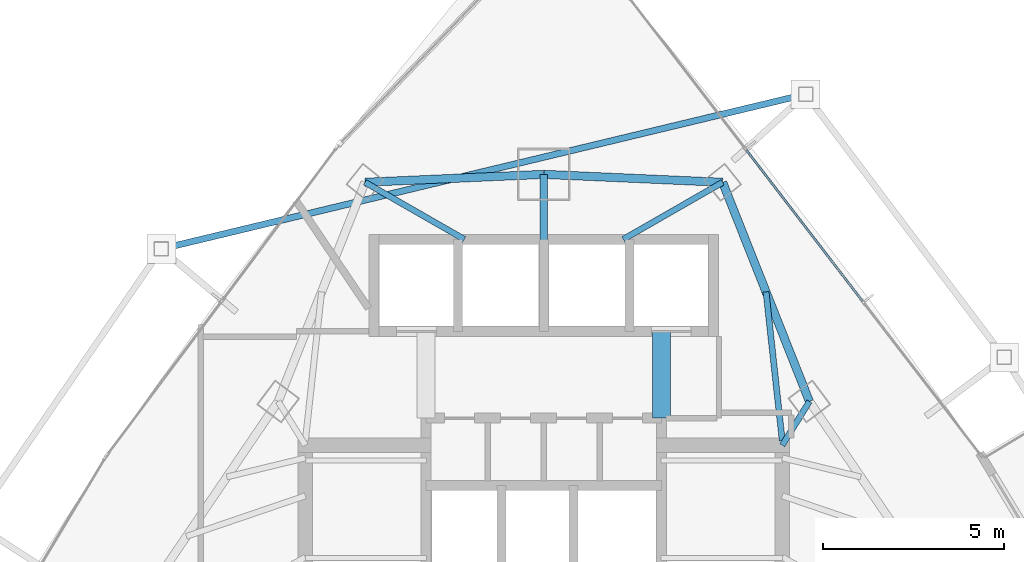
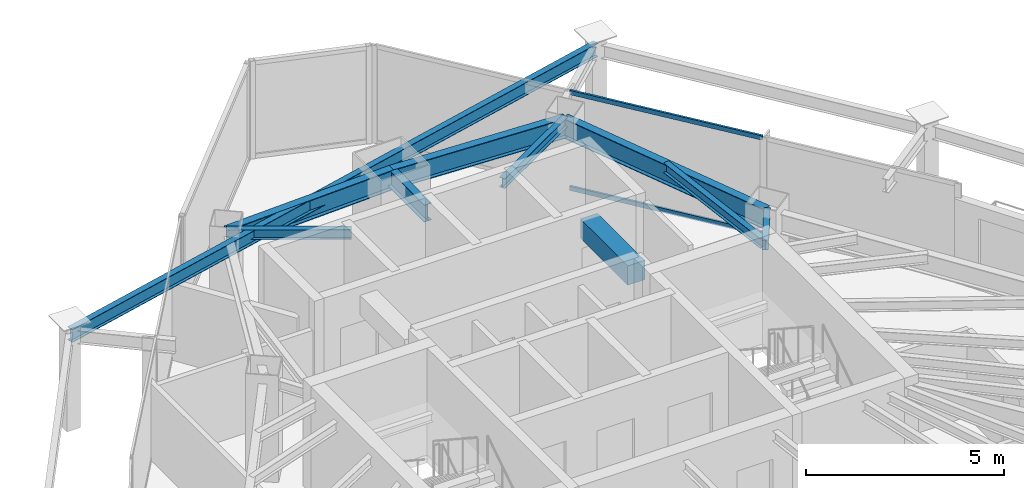
# One storey, part 22 of 31: 10 beams, 2 members, 1 element without a shape of its own.
"""IFC4 building model written with IfcOpenShell, lengths in metres."""

from ifc_helpers import new_model, si_unit, direction, frame, origin, origin_2d, place, context, subcontext, project, spatial, rectangle, hollow_rectangle, i_section, extrude, material, layer, layer_set, material_profile, profile_set, type_object, element, aggregate, save


model = new_model("IFC4")

# Units and contexts
model_context = context("Model", 3, precision=1e-05, world=origin(), true_north=direction((0.0, 1.0)))
body_context = subcontext(model_context, "Body", "Model", "MODEL_VIEW")
ifc_project = project(units=[si_unit("LENGTHUNIT", "METRE"), si_unit("AREAUNIT", "SQUARE_METRE"), si_unit("VOLUMEUNIT", "CUBIC_METRE"), si_unit("PLANEANGLEUNIT", "RADIAN"), si_unit("MASSUNIT", "GRAM", prefix="KILO")], contexts=[model_context])

# Site, building, storey
site_placement = place(None, origin())
site = spatial("IfcSite", under=ifc_project, at=site_placement, CompositionType="ELEMENT")
building_placement = place(site_placement, origin())
building = spatial("IfcBuilding", under=site, at=building_placement, Name="Orvanel Arch Residences", CompositionType="ELEMENT")
storey_placement = place(building_placement, frame((0.0, 0.0, 183.64990234375)))
storey = spatial("IfcBuildingStorey", under=building, at=storey_placement, Name="L52", CompositionType="ELEMENT", Elevation=183.64990234375)

# Beams
ifc_material_1 = material(Name="Structural steel AS/NZS 3679.1 Grade 300 (300 MPa)", Category="steel")
ifc_material_profile_1 = material_profile(ifc_material_1, i_section(OverallWidth=0.208984375, OverallDepth=0.532958984375, WebThickness=0.01025390625, FlangeThickness=0.015625, at=origin_2d()), Name="530UB92.4")
ifc_profile_set_1 = profile_set([ifc_material_profile_1], Name="Structural steel AS/NZS 3679.1 Grade 300 (300 MPa)")
beam_type_1 = type_object("IfcBeamType", Name="BG-530UB", PredefinedType="BEAM", material=ifc_profile_set_1)
beam_1_placement = place(storey_placement, frame((33.0, 39.550048828125, 2.753173828125), z_axis=(0.0, 1.0, 0.0), x_axis=(-1.0, 0.0, 0.0)))
element("IfcBeam", 1, at=beam_1_placement, inside=storey, type_object=beam_type_1, Name="L52 North Radial Girder", PredefinedType="BEAM", context=body_context, shape_type="SweptSolid", body=[
    extrude(i_section(OverallWidth=0.208984375, OverallDepth=0.532958984375, WebThickness=0.01025390625, FlangeThickness=0.015625, at=origin_2d()), origin(), (0.0, 0.0, 1.0), 1.847900390625),
])
ifc_material_profile_2 = material_profile(ifc_material_1, i_section(OverallWidth=0.1650390625, OverallDepth=0.303955078125, WebThickness=0.006103515625, FlangeThickness=0.01025390625, at=origin_2d()), Name="310UB40.4")
ifc_profile_set_2 = profile_set([ifc_material_profile_2], Name="Structural steel AS/NZS 3679.1 Grade 300 (300 MPa)")
beam_type_2 = type_object("IfcBeamType", Name="BJ-310UB", PredefinedType="JOIST", material=ifc_profile_set_2)
beam_2_placement = place(storey_placement, frame((39.60009765625, 33.89990234375, 2.8681640625), z_axis=(0.526843290616, 0.84996243866, 0.0), x_axis=(-0.84996243866, 0.526843290616, 0.0)))
element("IfcBeam", 2, at=beam_2_placement, inside=storey, type_object=beam_type_2, Name="L52 NNE Wing Floor Joist", PredefinedType="JOIST", context=body_context, shape_type="SweptSolid", body=[
    extrude(i_section(OverallWidth=0.1650390625, OverallDepth=0.303955078125, WebThickness=0.006103515625, FlangeThickness=0.01025390625, at=origin_2d()), origin(), (0.0, 0.0, 1.0), 1.42724609375),
])
beam_3_placement = place(storey_placement, frame((39.60009765625, 34.02001953125, 2.8681640625), z_axis=(-0.108261441852, 0.99412245735, 0.0), x_axis=(-0.99412245735, -0.108261441852, 0.0)))
element("IfcBeam", 3, at=beam_3_placement, inside=storey, type_object=beam_type_2, Name="L52 NNE2 Wing Floor Joist", PredefinedType="JOIST", context=body_context, shape_type="SweptSolid", body=[
    extrude(i_section(OverallWidth=0.1650390625, OverallDepth=0.303955078125, WebThickness=0.006103515625, FlangeThickness=0.01025390625, at=origin_2d()), origin(), (0.0, 0.0, 1.0), 4.1494140625),
])
for number, where, z_axis, x_axis, name in (
    (4, (30.800048828125, 39.60009765625, 2.8681640625), (-0.86736513383, 0.497672306458, 0.0), (-0.497672306458, -0.86736513383, 0.0), "L52 MNW Wing Floor Joist"),
    (5, (35.199951171875, 39.60009765625, 2.8681640625), (0.86736513383, 0.497672306458, 0.0), (-0.497672306458, 0.86736513383, 0.0), "L52 MNE Wing Floor Joist"),
):
    element("IfcBeam", number, at=place(storey_placement, frame(where, z_axis=z_axis, x_axis=x_axis)), inside=storey, type_object=beam_type_2, Name=name, PredefinedType="JOIST", context=body_context, shape_type="SweptSolid", body=[
        extrude(i_section(OverallWidth=0.1650390625, OverallDepth=0.303955078125, WebThickness=0.006103515625, FlangeThickness=0.01025390625, at=origin_2d()), origin(), (0.0, 0.0, 1.0), 3.17041015625),
    ])
ifc_material_2 = material(Name="Concrete S65 (65 MPa)", Category="concrete")
ifc_material_profile_3 = material_profile(ifc_material_2, rectangle(XDim=0.5, YDim=0.60009765625, at=origin_2d()), Name="RC500x600")
ifc_profile_set_3 = profile_set([ifc_material_profile_3], Name="Concrete S65 (65 MPa)")
beam_type_3 = type_object("IfcBeamType", Name="CB-500x600", PredefinedType="LINTEL", material=ifc_profile_set_3)
beam_4_placement = place(storey_placement, frame((36.260009765625, 34.64990234375, 2.72021484375), z_axis=(0.0, 1.0, 0.0), x_axis=(-1.0, 0.0, 0.0)))
element("IfcBeam", 6, at=beam_4_placement, inside=storey, type_object=beam_type_3, Name="L52 East Core Lobby Coupling Lintel Beam", PredefinedType="LINTEL", context=body_context, shape_type="SweptSolid", body=[
    extrude(rectangle(XDim=0.5, YDim=0.60009765625, at=origin_2d()), origin(), (0.0, 0.0, 1.0), 2.400146484375),
])
ifc_material_profile_4 = material_profile(ifc_material_1, i_section(OverallWidth=0.177978515625, OverallDepth=0.406005859375, WebThickness=0.0078125, FlangeThickness=0.0126953125, at=origin_2d()), Name="410UB59.7")
ifc_profile_set_4 = profile_set([ifc_material_profile_4], Name="Structural steel AS/NZS 3679.1 Grade 300 (300 MPa)")
beam_type_4 = type_object("IfcBeamType", Name="OB-410UB-EXT", PredefinedType="SPANDREL", material=ifc_profile_set_4)
beam_5_placement = place(storey_placement, frame((40.2490234375, 43.614990234375, 2.817138671875), z_axis=(-0.972370505992, -0.233442924669, 0.0), x_axis=(0.233442924669, -0.972370505992, 0.0)))
element("IfcBeam", 7, at=beam_5_placement, inside=storey, type_object=beam_type_4, Name="L52 Outer Perimeter Floor Ring Beam 12", PredefinedType="SPANDREL", context=body_context, shape_type="SweptSolid", body=[
    extrude(i_section(OverallWidth=0.177978515625, OverallDepth=0.406005859375, WebThickness=0.0078125, FlangeThickness=0.0126953125, at=origin_2d()), origin(), (0.0, 0.0, 1.0), 18.3427734375),
])
ifc_material_profile_5 = material_profile(ifc_material_1, i_section(OverallWidth=0.22900390625, OverallDepth=0.612060546875, WebThickness=0.011962890625, FlangeThickness=0.01953125, at=origin_2d()), Name="610UB125")
ifc_profile_set_5 = profile_set([ifc_material_profile_5], Name="Structural steel AS/NZS 3679.1 Grade 300 (300 MPa)")
beam_type_5 = type_object("IfcBeamType", Name="SP-610UB", PredefinedType="SPANDREL", material=ifc_profile_set_5)
beam_6_placement = place(storey_placement, frame((40.35205078125, 35.113037109375, 2.714111328125), z_axis=(-0.368233143579, 0.929733484376, 0.0), x_axis=(-0.929733484376, -0.368233143579, 0.0)))
element("IfcBeam", 8, at=beam_6_placement, inside=storey, type_object=beam_type_5, Name="L52 Perimeter Spandrel Beam 13", PredefinedType="SPANDREL", context=body_context, shape_type="SweptSolid", body=[
    extrude(i_section(OverallWidth=0.22900390625, OverallDepth=0.612060546875, WebThickness=0.011962890625, FlangeThickness=0.01953125, at=origin_2d()), origin(), (0.0, 0.0, 1.0), 6.523193359375),
])
for number, where, z_axis, x_axis, name in (
    (9, (37.949951171875, 41.177978515625, 2.714111328125), (-0.999014049296, 0.044395149614, 0.0), (-0.044395149614, -0.999014049296, 0.0), "L52 Perimeter Spandrel Beam 14"),
    (10, (33.0, 41.39794921875, 2.714111328125), (-0.999014049296, -0.044395149614, 0.0), (0.044395149614, -0.999014049296, 0.0), "L52 Perimeter Spandrel Beam 15"),
):
    element("IfcBeam", number, at=place(storey_placement, frame(where, z_axis=z_axis, x_axis=x_axis)), inside=storey, type_object=beam_type_5, Name=name, PredefinedType="SPANDREL", context=body_context, shape_type="SweptSolid", body=[
        extrude(i_section(OverallWidth=0.22900390625, OverallDepth=0.612060546875, WebThickness=0.011962890625, FlangeThickness=0.01953125, at=origin_2d()), origin(), (0.0, 0.0, 1.0), 4.954833984375),
    ])

# Curtain wall, members
ifc_material_3 = material(Name="Bronze-anodised aluminium AA6063-T6", Category="aluminium")
ifc_layer = layer(ifc_material_3, 0.179931640625)
ifc_layer_set = layer_set([ifc_layer], Name="Bronze-anodised aluminium AA6063-T6")
curtain_wall_type = type_object("IfcCurtainWallType", Name="CW3-MID-SYS", PredefinedType="NOTDEFINED", material=ifc_layer_set)
curtain_wall_placement = place(storey_placement, origin())
curtain_wall = element("IfcCurtainWall", 11, at=curtain_wall_placement, inside=storey, type_object=curtain_wall_type, Name="L52 CW3-MID-SYS Unitised Curtain Wall", PredefinedType="NOTDEFINED")
ifc_material_profile_6 = material_profile(ifc_material_3, hollow_rectangle(XDim=0.06005859375, YDim=0.135009765625, WallThickness=0.00390625, at=origin_2d()), Name="ALU135x60x4")
ifc_profile_set_6 = profile_set([ifc_material_profile_6], Name="Bronze-anodised aluminium AA6063-T6")
member_type = type_object("IfcMemberType", Name="TRN-135x60", PredefinedType="USERDEFINED", material=ifc_profile_set_6)
member_1_placement = place(storey_placement, frame((41.8232421875, 37.8857421875, 0.030029296875), z_axis=(-0.609511941255, 0.792776887572, 0.0), x_axis=(-0.792776887572, -0.609511941255, 0.0)))
member_1 = element("IfcMember", 12, at=member_1_placement, type_object=member_type, Name="CW-S3 transom 2.1", ObjectType="TRANSOM", PredefinedType="USERDEFINED", context=body_context, shape_type="SweptSolid", body=[
    extrude(hollow_rectangle(XDim=0.06005859375, YDim=0.135009765625, WallThickness=0.00390625, at=origin_2d()), origin(), (0.0, 0.0, 1.0), 5.281982421875),
])
member_2_placement = place(storey_placement, frame((41.8232421875, 37.8857421875, 2.989990234375), z_axis=(-0.609511941255, 0.792776887572, 0.0), x_axis=(-0.792776887572, -0.609511941255, 0.0)))
member_2 = element("IfcMember", 13, at=member_2_placement, type_object=member_type, Name="CW-S3 transom 2.2", ObjectType="TRANSOM", PredefinedType="USERDEFINED", context=body_context, shape_type="SweptSolid", body=[
    extrude(hollow_rectangle(XDim=0.06005859375, YDim=0.135009765625, WallThickness=0.00390625, at=origin_2d()), origin(), (0.0, 0.0, 1.0), 5.281982421875),
])
aggregate(curtain_wall, [member_1, member_2])

save(model, "model.ifc")
